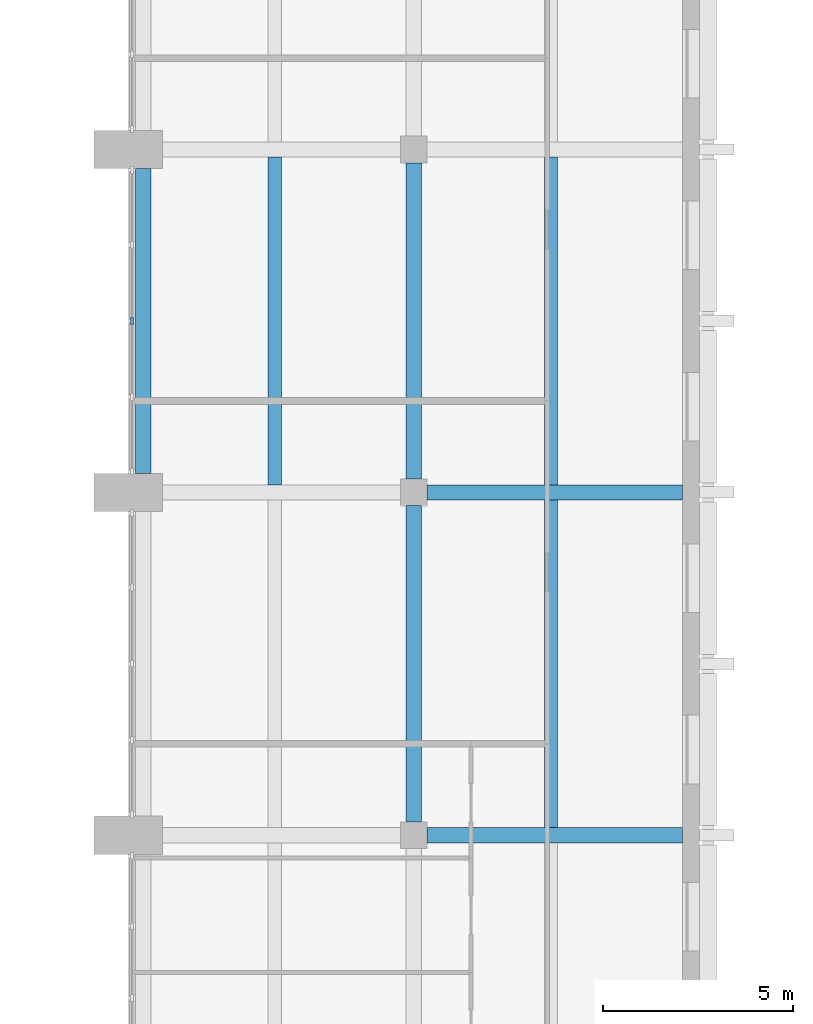
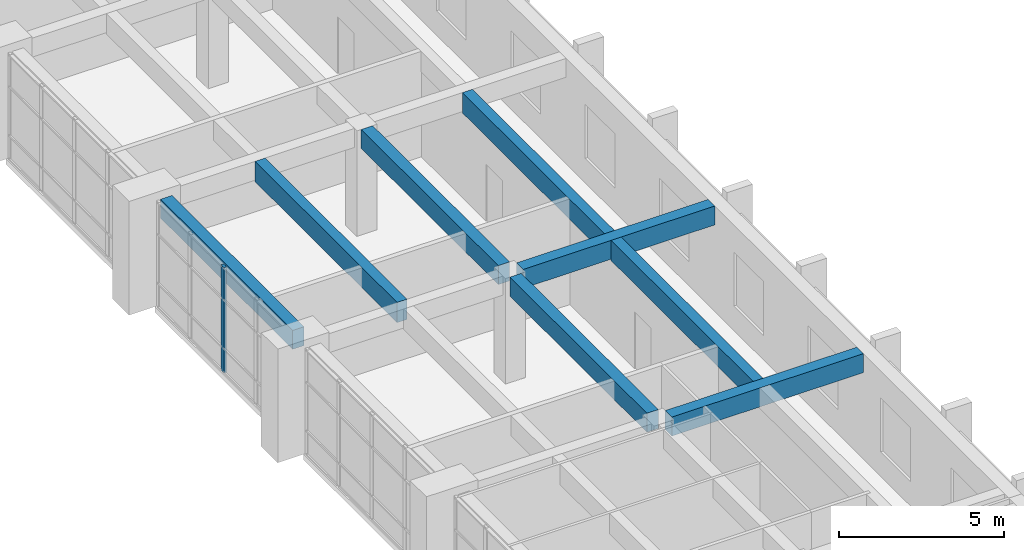
# One storey, part 7 of 43: 8 beams, 1 member, 1 element without a shape of its own.
"""IFC4 building model written with IfcOpenShell, lengths in metres."""

from ifc_helpers import new_model, si_unit, direction, frame, origin, origin_2d, place, context, subcontext, project, spatial, rectangle, extrude, material, material_profile, profile_set, type_object, element, aggregate, save


model = new_model("IFC4")

# Units and contexts
model_context = context("Model", 3, precision=1e-05, world=origin(), true_north=direction((0.0, 1.0)))
body_context = subcontext(model_context, "Body", "Model", "MODEL_VIEW")
ifc_project = project(units=[si_unit("LENGTHUNIT", "METRE"), si_unit("AREAUNIT", "SQUARE_METRE"), si_unit("VOLUMEUNIT", "CUBIC_METRE"), si_unit("PLANEANGLEUNIT", "RADIAN"), si_unit("MASSUNIT", "GRAM", prefix="KILO")], contexts=[model_context])

# Site, building, storey
site_placement = place(None, origin())
site = spatial("IfcSite", under=ifc_project, at=site_placement, CompositionType="ELEMENT")
building_placement = place(site_placement, origin())
building = spatial("IfcBuilding", under=site, at=building_placement, Name="Elmora Arch Market Hall", CompositionType="ELEMENT")
storey_placement = place(building_placement, frame((0.0, 0.0, 10.199951171875)))
storey = spatial("IfcBuildingStorey", under=building, at=storey_placement, Name="L02", CompositionType="ELEMENT", Elevation=10.199951171875)

# Curtain wall, member
ifc_material_1 = material(Name="Aluminium", Category="aluminium")
curtain_wall_type = type_object("IfcCurtainWallType", Name="Hall front curtain wall", PredefinedType="NOTDEFINED", material=ifc_material_1)
curtain_wall_placement = place(storey_placement, origin())
curtain_wall = element("IfcCurtainWall", 1, at=curtain_wall_placement, inside=storey, type_object=curtain_wall_type, Name="Wing front E L02 3", PredefinedType="NOTDEFINED")
ifc_material_2 = material(Name="Aluminium", Category="aluminium")
ifc_material_profile_1 = material_profile(ifc_material_2, rectangle(XDim=0.080078125, YDim=0.179931640625, at=origin_2d()), Name="AL 80x180")
ifc_profile_set_1 = profile_set([ifc_material_profile_1], Name="Aluminium")
member_type = type_object("IfcMemberType", Name="Mullion 80x180", PredefinedType="MULLION", material=ifc_profile_set_1)
member_placement = place(storey_placement, frame((43.10009765625, 49.5, 0.0), z_axis=(0.0, 0.0, 1.0), x_axis=(-1.0, 0.0, 0.0)))
member = element("IfcMember", 2, at=member_placement, type_object=member_type, Name="CW2 mullion 3", PredefinedType="MULLION", context=body_context, shape_type="SweptSolid", body=[
    extrude(rectangle(XDim=0.080078125, YDim=0.179931640625, at=origin_2d()), origin(), (0.0, 0.0, 1.0), 3.900146484375),
])
aggregate(curtain_wall, [member])

# Beams
ifc_material_3 = material(Name="Concrete C32/40", Category="concrete")
ifc_material_profile_2 = material_profile(ifc_material_3, rectangle(XDim=0.39990234375, YDim=0.699951171875, at=origin_2d()), Name="Wing beam 400x700")
ifc_profile_set_2 = profile_set([ifc_material_profile_2], Name="Concrete C32/40")
beam_type_1 = type_object("IfcBeamType", Name="Wing beam 400x700", PredefinedType="BEAM", material=ifc_profile_set_2)
for number, where, z_axis, x_axis, name in (
    (3, (50.85009765625, 36.0, 3.550048828125), (1.0, 0.0, 0.0), (0.0, 1.0, 0.0), "Wing beam ER2 L02.2"),
    (4, (50.85009765625, 45.0, 3.550048828125), (1.0, 0.0, 0.0), (0.0, 1.0, 0.0), "Wing beam ER3 L02.2"),
):
    element("IfcBeam", number, at=place(storey_placement, frame(where, z_axis=z_axis, x_axis=x_axis)), inside=storey, type_object=beam_type_1, Name=name, PredefinedType="BEAM", context=body_context, shape_type="SweptSolid", body=[
        extrude(rectangle(XDim=0.39990234375, YDim=0.699951171875, at=origin_2d()), origin(), (0.0, 0.0, 1.0), 6.699951171875),
    ])
for number, where, z_axis, x_axis, name in (
    (5, (50.5, 36.35009765625, 3.550048828125), (0.0, 1.0, 0.0), (-1.0, 0.0, 0.0), "Wing beam EG L02.2"),
    (6, (50.5, 45.35009765625, 3.550048828125), (0.0, 1.0, 0.0), (-1.0, 0.0, 0.0), "Wing beam EG L02.3"),
):
    element("IfcBeam", number, at=place(storey_placement, frame(where, z_axis=z_axis, x_axis=x_axis)), inside=storey, type_object=beam_type_1, Name=name, PredefinedType="BEAM", context=body_context, shape_type="SweptSolid", body=[
        extrude(rectangle(XDim=0.39990234375, YDim=0.699951171875, at=origin_2d()), origin(), (0.0, 0.0, 1.0), 8.2998046875),
    ])
beam_placement = place(storey_placement, frame((43.39990234375, 45.5, 3.550048828125), z_axis=(0.0, 1.0, 0.0), x_axis=(-1.0, 0.0, 0.0)))
element("IfcBeam", 7, at=beam_placement, inside=storey, type_object=beam_type_1, Name="Wing beam EEB L02.3", PredefinedType="BEAM", context=body_context, shape_type="SweptSolid", body=[
    extrude(rectangle(XDim=0.39990234375, YDim=0.699951171875, at=origin_2d()), origin(), (0.0, 0.0, 1.0), 8.0),
])
ifc_material_4 = material(Name="Concrete C32/40", Category="concrete")
ifc_material_profile_3 = material_profile(ifc_material_4, rectangle(XDim=0.35009765625, YDim=0.75, at=origin_2d()), Name="Wing joist 350x750")
ifc_profile_set_3 = profile_set([ifc_material_profile_3], Name="Concrete C32/40")
beam_type_2 = type_object("IfcBeamType", Name="Wing joist 350x750", PredefinedType="JOIST", material=ifc_profile_set_3)
for number, where, z_axis, x_axis, name in (
    (8, (46.85009765625, 45.199951171875, 3.525146484375), (0.0, 1.0, 0.0), (-1.0, 0.0, 0.0), "Wing joist EJ1 L02.3"),
    (9, (54.10009765625, 36.199951171875, 3.525146484375), (0.0, 1.0, 0.0), (-1.0, 0.0, 0.0), "Wing joist EJ2 L02.2"),
    (10, (54.10009765625, 45.199951171875, 3.525146484375), (0.0, 1.0, 0.0), (-1.0, 0.0, 0.0), "Wing joist EJ2 L02.3"),
):
    element("IfcBeam", number, at=place(storey_placement, frame(where, z_axis=z_axis, x_axis=x_axis)), inside=storey, type_object=beam_type_2, Name=name, PredefinedType="JOIST", context=body_context, shape_type="SweptSolid", body=[
        extrude(rectangle(XDim=0.35009765625, YDim=0.75, at=origin_2d()), origin(), (0.0, 0.0, 1.0), 8.60009765625),
    ])

save(model, "model.ifc")
